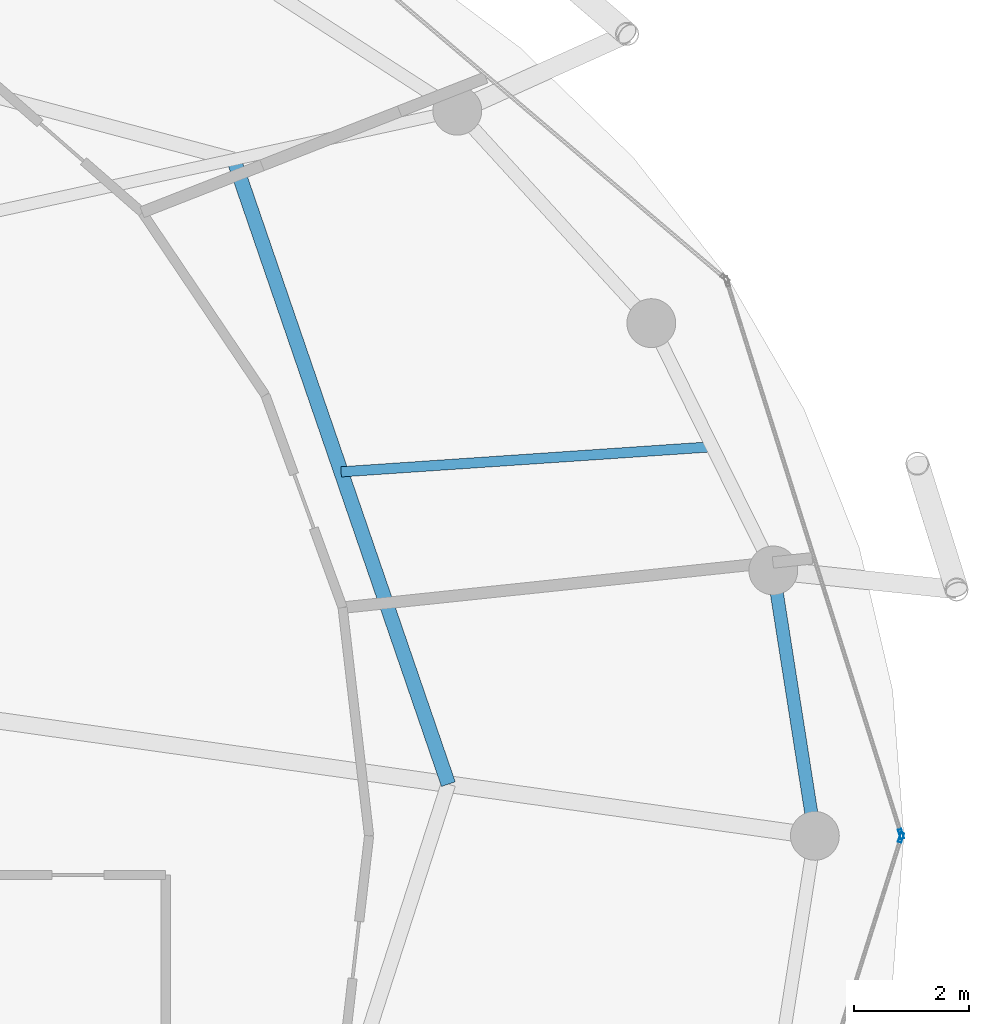
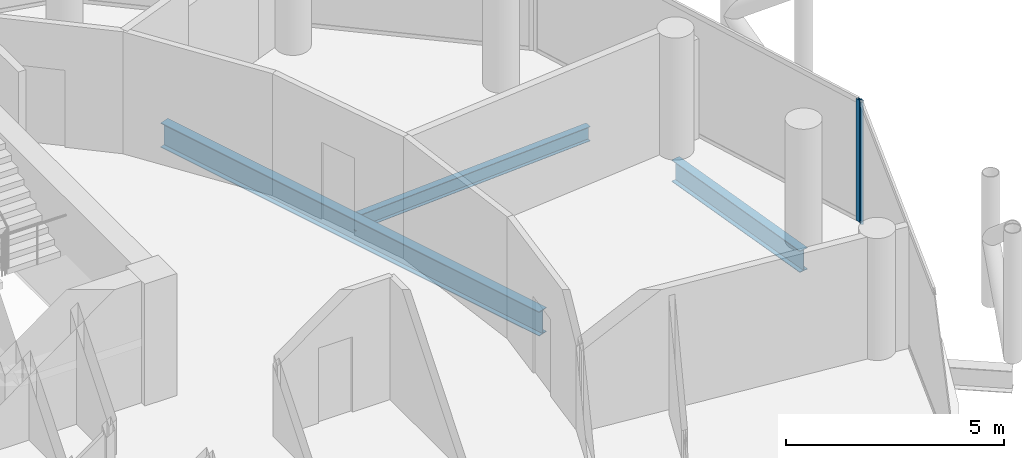
# One storey, part 15 of 27: 3 beams, 2 members, 2 elements without a shape of their own.
"""IFC4 building model written with IfcOpenShell, lengths in metres."""

from ifc_helpers import new_model, si_unit, direction, frame, origin, origin_2d, place, context, subcontext, project, spatial, hollow_rectangle, i_section, extrude, material, layer, layer_set, material_profile, profile_set, type_object, element, aggregate, save


model = new_model("IFC4")

# Units and contexts
model_context = context("Model", 3, precision=1e-05, world=origin(), true_north=direction((0.0, 1.0)))
body_context = subcontext(model_context, "Body", "Model", "MODEL_VIEW")
ifc_project = project(units=[si_unit("LENGTHUNIT", "METRE"), si_unit("AREAUNIT", "SQUARE_METRE"), si_unit("VOLUMEUNIT", "CUBIC_METRE"), si_unit("PLANEANGLEUNIT", "RADIAN"), si_unit("MASSUNIT", "GRAM", prefix="KILO")], contexts=[model_context])

# Site, building, storey
site_placement = place(None, origin())
site = spatial("IfcSite", under=ifc_project, at=site_placement, CompositionType="ELEMENT")
building_placement = place(site_placement, origin())
building = spatial("IfcBuilding", under=site, at=building_placement, Name="Nuhasar Tower", CompositionType="ELEMENT")
storey_placement = place(building_placement, frame((0.0, 0.0, 244.64990234375)))
storey = spatial("IfcBuildingStorey", under=building, at=storey_placement, Name="L60", CompositionType="ELEMENT", Elevation=244.64990234375)

# Beams
ifc_material_1 = material(Name="Steel S355", Category="steel")
ifc_material_profile_1 = material_profile(ifc_material_1, i_section(OverallWidth=0.25390625, OverallDepth=0.68408203125, WebThickness=0.012451171875, FlangeThickness=0.018798828125, at=origin_2d()), Name="W27X94")
ifc_profile_set_1 = profile_set([ifc_material_profile_1], Name="Steel S355")
beam_type_1 = type_object("IfcBeamType", Name="BM-INRING-W27X94", PredefinedType="BEAM", material=ifc_profile_set_1)
beam_1_placement = place(storey_placement, frame((53.8701171875, 27.699951171875, -0.581787109375), z_axis=(-0.324809117642, 0.945779592239, 0.0), x_axis=(-0.945779592239, -0.324809117642, 0.0)))
element("IfcBeam", 1, at=beam_1_placement, inside=storey, type_object=beam_type_1, Name="L60 Inner Header Beam 04", PredefinedType="BEAM", context=body_context, shape_type="SweptSolid", body=[
    extrude(i_section(OverallWidth=0.25390625, OverallDepth=0.68408203125, WebThickness=0.012451171875, FlangeThickness=0.018798828125, at=origin_2d()), origin(), (0.0, 0.0, 1.0), 11.496337890625),
])
ifc_material_profile_2 = material_profile(ifc_material_1, i_section(OverallWidth=0.177978515625, OverallDepth=0.406005859375, WebThickness=0.0078125, FlangeThickness=0.0126953125, at=origin_2d()), Name="W16X40")
ifc_profile_set_2 = profile_set([ifc_material_profile_2], Name="Steel S355")
beam_type_2 = type_object("IfcBeamType", Name="BM-JST-W16X40", PredefinedType="JOIST", material=ifc_profile_set_2)
beam_2_placement = place(storey_placement, frame((52.0029296875, 33.135986328125, -0.44287109375), z_axis=(0.997721156568, 0.067472170095, 0.0), x_axis=(-0.067472170095, 0.997721156568, 0.0)))
element("IfcBeam", 2, at=beam_2_placement, inside=storey, type_object=beam_type_2, Name="L60 Secondary Floor Joist 04", PredefinedType="JOIST", context=body_context, shape_type="SweptSolid", body=[
    extrude(i_section(OverallWidth=0.177978515625, OverallDepth=0.406005859375, WebThickness=0.0078125, FlangeThickness=0.0126953125, at=origin_2d()), origin(), (0.0, 0.0, 1.0), 6.476806640625),
])
ifc_material_profile_3 = material_profile(ifc_material_1, i_section(OverallWidth=0.22802734375, OverallDepth=0.60791015625, WebThickness=0.01123046875, FlangeThickness=0.017333984375, at=origin_2d()), Name="W24X76")
ifc_profile_set_3 = profile_set([ifc_material_profile_3], Name="Steel S355")
beam_type_3 = type_object("IfcBeamType", Name="BM-RING-W24X76", PredefinedType="SPANDREL", material=ifc_profile_set_3)
beam_3_placement = place(storey_placement, frame((60.25, 26.800048828125, -0.5439453125), z_axis=(-0.154849872935, 0.987938012657, 0.0), x_axis=(-0.987938012657, -0.154849872935, 0.0)))
element("IfcBeam", 3, at=beam_3_placement, inside=storey, type_object=beam_type_3, Name="L60 Perimeter Ring Spandrel 01", PredefinedType="SPANDREL", context=body_context, shape_type="SweptSolid", body=[
    extrude(i_section(OverallWidth=0.22802734375, OverallDepth=0.60791015625, WebThickness=0.01123046875, FlangeThickness=0.017333984375, at=origin_2d()), origin(), (0.0, 0.0, 1.0), 4.67626953125),
])

# Curtain wall, member
ifc_material_2 = material(Name="Aluminium 6063-T6", Category="aluminium")
ifc_layer = layer(ifc_material_2, 0.18994140625)
ifc_layer_set = layer_set([ifc_layer], Name="Aluminium 6063-T6")
curtain_wall_type = type_object("IfcCurtainWallType", Name="CW-Z3-RES", PredefinedType="NOTDEFINED", material=ifc_layer_set)
curtain_wall_1_placement = place(storey_placement, origin())
curtain_wall_1 = element("IfcCurtainWall", 4, at=curtain_wall_1_placement, inside=storey, type_object=curtain_wall_type, Name="L60 Unitised Curtain Wall 01", PredefinedType="NOTDEFINED")
ifc_material_profile_4 = material_profile(ifc_material_2, hollow_rectangle(XDim=0.06494140625, YDim=0.169921875, WallThickness=0.0048828125, at=origin_2d()), Name="CWM-4")
ifc_profile_set_4 = profile_set([ifc_material_profile_4], Name="Aluminium 6063-T6")
member_type = type_object("IfcMemberType", Name="CW-MUL-S4", PredefinedType="MULLION", material=ifc_profile_set_4)
member_1_placement = place(storey_placement, frame((61.750244140625, 26.8310546875, 0.0), z_axis=(0.0, 0.0, 1.0), x_axis=(-0.95380429279, -0.30042864553, 0.0)))
member_1 = element("IfcMember", 5, at=member_1_placement, type_object=member_type, Name="CW-Z3 mullion 1", PredefinedType="MULLION", context=body_context, shape_type="SweptSolid", body=[
    extrude(hollow_rectangle(XDim=0.06494140625, YDim=0.169921875, WallThickness=0.0048828125, at=origin_2d()), origin(), (0.0, 0.0, 1.0), 3.41015625),
])
aggregate(curtain_wall_1, [member_1])

curtain_wall_2_placement = place(storey_placement, origin())
curtain_wall_2 = element("IfcCurtainWall", 6, at=curtain_wall_2_placement, inside=storey, type_object=curtain_wall_type, Name="L60 Unitised Curtain Wall 12", PredefinedType="NOTDEFINED")
member_2_placement = place(storey_placement, frame((61.750244140625, 26.76904296875, 0.0), z_axis=(0.0, 0.0, 1.0), x_axis=(-0.95380429279, 0.30042864553, 0.0)))
member_2 = element("IfcMember", 7, at=member_2_placement, type_object=member_type, Name="CW-Z3 mullion 2", PredefinedType="MULLION", context=body_context, shape_type="SweptSolid", body=[
    extrude(hollow_rectangle(XDim=0.06494140625, YDim=0.169921875, WallThickness=0.0048828125, at=origin_2d()), origin(), (0.0, 0.0, 1.0), 3.41015625),
])
aggregate(curtain_wall_2, [member_2])

save(model, "model.ifc")
